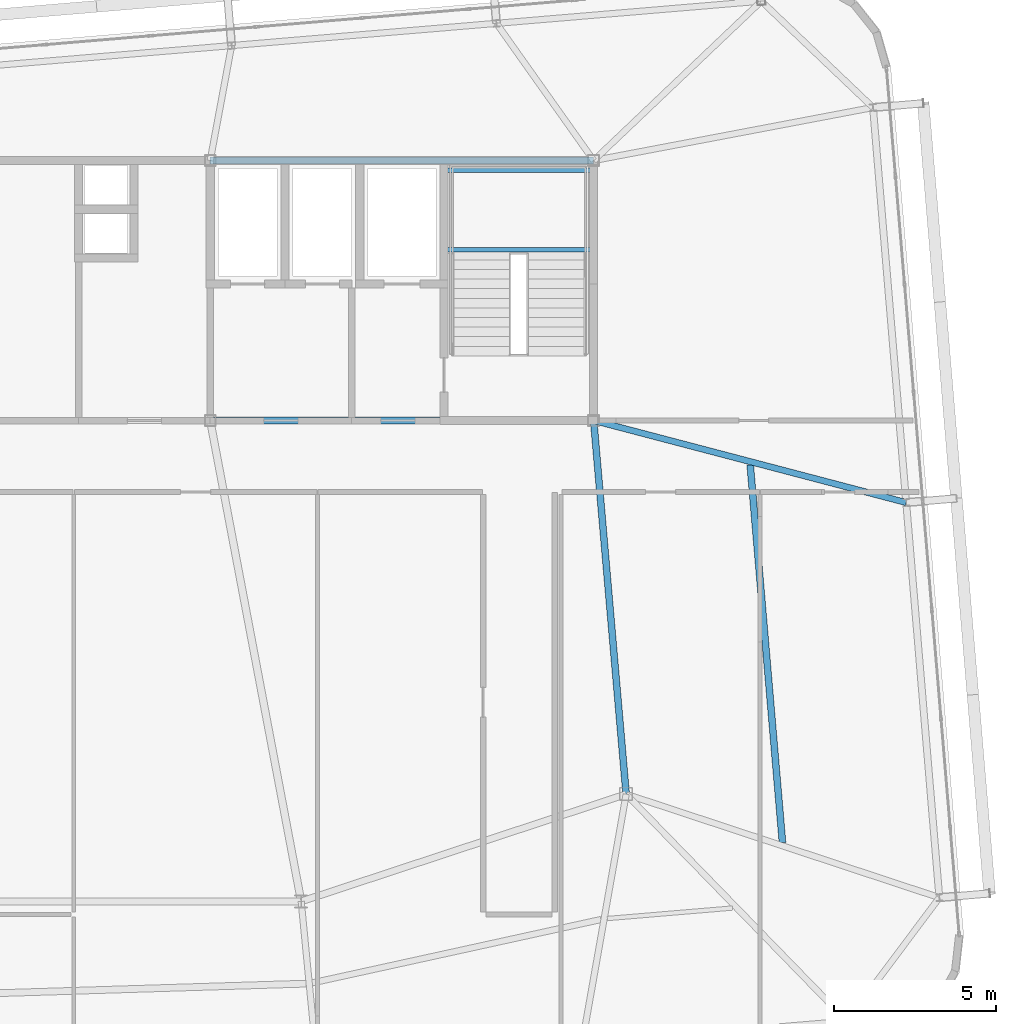
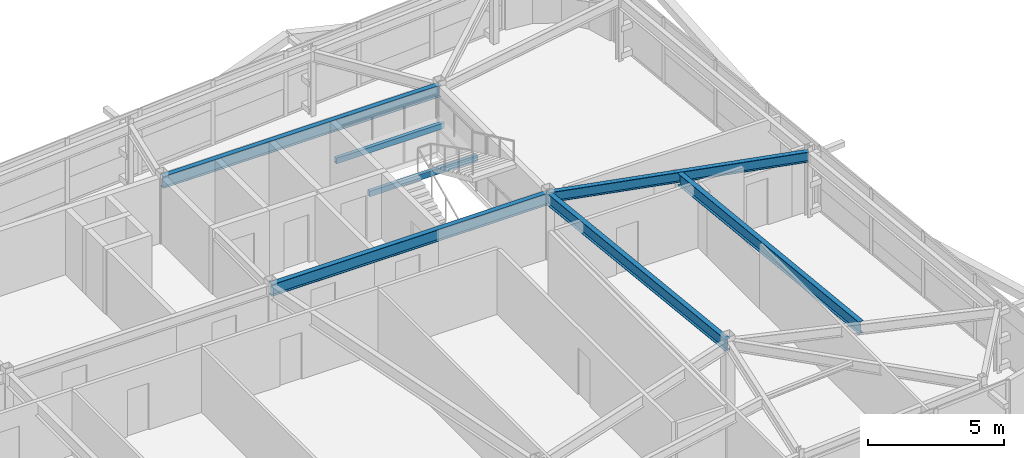
# One storey, part 24 of 46: 7 beams.
"""IFC4 building model written with IfcOpenShell, lengths in metres."""

from ifc_helpers import new_model, si_unit, direction, frame, origin, origin_2d, place, context, subcontext, project, spatial, hollow_rectangle, i_section, extrude, source, transform, mapped, material, material_profile, profile_set, type_object, element, save


model = new_model("IFC4")

# Units and contexts
model_context = context("Model", 3, precision=1e-05, world=origin(), true_north=direction((0.0, 1.0)))
body_context = subcontext(model_context, "Body", "Model", "MODEL_VIEW")
ifc_project = project(units=[si_unit("LENGTHUNIT", "METRE"), si_unit("AREAUNIT", "SQUARE_METRE"), si_unit("VOLUMEUNIT", "CUBIC_METRE"), si_unit("PLANEANGLEUNIT", "RADIAN"), si_unit("MASSUNIT", "GRAM", prefix="KILO")], contexts=[model_context])

# Site, building, storey
site_placement = place(None, origin())
site = spatial("IfcSite", under=ifc_project, at=site_placement, CompositionType="ELEMENT")
building_placement = place(site_placement, origin())
building = spatial("IfcBuilding", under=site, at=building_placement, Name="Taldren Reach Tower", CompositionType="ELEMENT")
storey_placement = place(building_placement, frame((0.0, 0.0, 188.300048828125)))
storey = spatial("IfcBuildingStorey", under=building, at=storey_placement, Name="L57", CompositionType="ELEMENT", Elevation=188.300048828125)

# Beams
ifc_material_1 = material(Name="Steel Gr 350 (350PLUS)", Category="steel")
ifc_material_profile_1 = material_profile(ifc_material_1, i_section(OverallWidth=0.208984375, OverallDepth=0.532958984375, WebThickness=0.01025390625, FlangeThickness=0.015625, at=origin_2d()), Name="530UB92.4")
ifc_profile_set_1 = profile_set([ifc_material_profile_1], Name="Steel Gr 350 (350PLUS)")
beam_type_1 = type_object("IfcBeamType", Name="BM-UB530A", PredefinedType="BEAM", material=ifc_profile_set_1)
shared_shape_1 = source(origin(), body_context, "Body", "SweptSolid", [
    extrude(i_section(OverallWidth=0.208984375, OverallDepth=0.532958984375, WebThickness=0.01025390625, FlangeThickness=0.015625, at=origin_2d()), origin(), (0.0, 0.0, 1.0), 11.800048828125),
])
for number, where, z_axis, x_axis, name in (
    (1, (39.199951171875, 24.0, 2.663330078125), (1.0, 0.0, 0.0), (0.0, 1.0, 0.0), "Core-spine girder L57-SP03"),
    (2, (39.199951171875, 32.0, 2.663330078125), (1.0, 0.0, 0.0), (0.0, 1.0, 0.0), "Core-spine girder L57-SP06"),
):
    element("IfcBeam", number, at=place(storey_placement, frame(where, z_axis=z_axis, x_axis=x_axis)), inside=storey, type_object=beam_type_1, Name=name, PredefinedType="BEAM", context=body_context, shape_type="MappedRepresentation", body=[
        mapped(shared_shape_1, transform((0.0, 0.0, 0.0), scale=1.0)),
    ])
shared_shape_2 = source(origin(), body_context, "Body", "SweptSolid", [
    extrude(i_section(OverallWidth=0.208984375, OverallDepth=0.532958984375, WebThickness=0.01025390625, FlangeThickness=0.015625, at=origin_2d()), origin(), (0.0, 0.0, 1.0), 11.54345703125),
])
beam_1_placement = place(storey_placement, frame((52.0, 12.5, 2.663330078125), z_axis=(-0.086629616365, 0.996240588196, 0.0), x_axis=(-0.996240588196, -0.086629616365, 0.0)))
element("IfcBeam", 3, at=beam_1_placement, inside=storey, type_object=beam_type_1, Name="Core-spine girder L57-SP13", PredefinedType="BEAM", context=body_context, shape_type="MappedRepresentation", body=[
    mapped(shared_shape_2, transform((0.0, 0.0, 0.0), scale=1.0)),
])
ifc_material_profile_2 = material_profile(ifc_material_1, i_section(OverallWidth=0.19091796875, OverallDepth=0.4599609375, WebThickness=0.010009765625, FlangeThickness=0.01611328125, at=origin_2d()), Name="460UB82.1")
ifc_profile_set_2 = profile_set([ifc_material_profile_2], Name="Steel Gr 350 (350PLUS)")
beam_type_2 = type_object("IfcBeamType", Name="BM-UB460A", PredefinedType="BEAM", material=ifc_profile_set_2)
shared_shape_3 = source(origin(), body_context, "Body", "SweptSolid", [
    extrude(i_section(OverallWidth=0.19091796875, OverallDepth=0.4599609375, WebThickness=0.010009765625, FlangeThickness=0.01611328125, at=origin_2d()), origin(), (0.0, 0.0, 1.0), 9.943115234375),
])
beam_2_placement = place(storey_placement, frame((51.0, 24.0, 2.699951171875), z_axis=(0.967215285987, -0.253957851923, 0.0), x_axis=(0.253957851923, 0.967215285987, 0.0)))
element("IfcBeam", 4, at=beam_2_placement, inside=storey, type_object=beam_type_2, Name="Primary floor girder B4-E2 L57", PredefinedType="BEAM", context=body_context, shape_type="MappedRepresentation", body=[
    mapped(shared_shape_3, transform((0.0, 0.0, 0.0), scale=1.0)),
])
shared_shape_4 = source(origin(), body_context, "Body", "SweptSolid", [
    extrude(i_section(OverallWidth=0.208984375, OverallDepth=0.532958984375, WebThickness=0.01025390625, FlangeThickness=0.015625, at=origin_2d()), origin(), (0.0, 0.0, 1.0), 11.66650390625),
])
beam_3_placement = place(storey_placement, frame((56.810302734375, 11.01220703125, 2.663330078125), z_axis=(-0.085128704566, 0.996369963246, 0.0), x_axis=(-0.996369963246, -0.085128704566, 0.0)))
element("IfcBeam", 5, at=beam_3_placement, inside=storey, type_object=beam_type_1, Name="Secondary floor beam B4 J7 L57", PredefinedType="BEAM", context=body_context, shape_type="MappedRepresentation", body=[
    mapped(shared_shape_4, transform((0.0, 0.0, 0.0), scale=1.0)),
])
ifc_material_2 = material(Name="Steel Gr 350 (C350L0)", Category="steel")
ifc_material_profile_3 = material_profile(ifc_material_2, hollow_rectangle(XDim=0.14990234375, YDim=0.25, WallThickness=0.009033203125, at=origin_2d()), Name="250x150x9.0RHS")
ifc_profile_set_3 = profile_set([ifc_material_profile_3], Name="Steel Gr 350 (C350L0)")
beam_type_3 = type_object("IfcBeamType", Name="LN-RHS250", PredefinedType="LINTEL", material=ifc_profile_set_3)
shared_shape_5 = source(origin(), body_context, "Body", "SweptSolid", [
    extrude(hollow_rectangle(XDim=0.14990234375, YDim=0.25, WallThickness=0.009033203125, at=origin_2d()), origin(), (0.0, 0.0, 1.0), 4.60009765625),
])
for number, where, z_axis, x_axis, name in (
    (6, (46.39990234375, 29.2548828125, 1.27001953125), (1.0, 0.0, 0.0), (0.0, 1.0, 0.0), "Stair half-landing support beam ST2-L57-1"),
    (7, (46.39990234375, 31.699951171875, 1.27001953125), (1.0, 0.0, 0.0), (0.0, 1.0, 0.0), "Stair half-landing support beam ST2-L57-2"),
):
    element("IfcBeam", number, at=place(storey_placement, frame(where, z_axis=z_axis, x_axis=x_axis)), inside=storey, type_object=beam_type_3, Name=name, PredefinedType="LINTEL", context=body_context, shape_type="MappedRepresentation", body=[
        mapped(shared_shape_5, transform((0.0, 0.0, 0.0), scale=1.0)),
    ])

save(model, "model.ifc")
